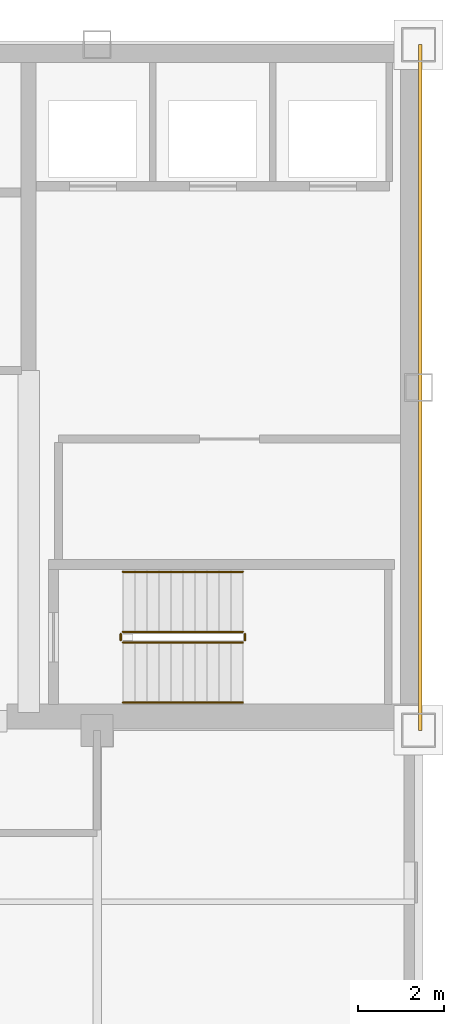
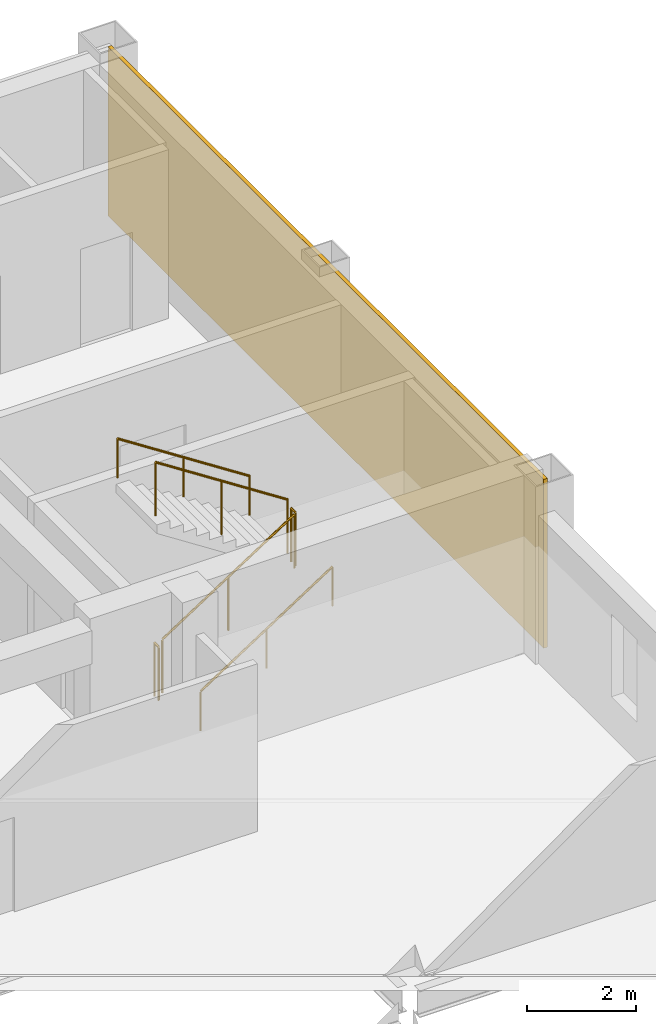
# One storey, part 6 of 8: 6 railings, 1 covering.
"""IFC4 building model written with IfcOpenShell, lengths in metres."""

from ifc_helpers import new_model, si_unit, direction, frame, origin, origin_2d, place, context, subcontext, project, spatial, rectangle, circle, extrude, material, layer, layer_set, type_object, element, save


model = new_model("IFC4")

# Units and contexts
model_context = context("Model", 3, precision=1e-05, world=origin(), true_north=direction((0.0, 1.0)))
body_context = subcontext(model_context, "Body", "Model", "MODEL_VIEW")
ifc_project = project(units=[si_unit("LENGTHUNIT", "METRE"), si_unit("AREAUNIT", "SQUARE_METRE"), si_unit("VOLUMEUNIT", "CUBIC_METRE"), si_unit("PLANEANGLEUNIT", "RADIAN"), si_unit("MASSUNIT", "GRAM", prefix="KILO")], contexts=[model_context])

# Site, building, storey
site_placement = place(None, origin())
site = spatial("IfcSite", under=ifc_project, at=site_placement, CompositionType="ELEMENT")
building_placement = place(site_placement, origin())
building = spatial("IfcBuilding", under=site, at=building_placement, Name="Qianrong Seaharbour Tower", CompositionType="ELEMENT")
storey_placement = place(building_placement, frame((0.0, 0.0, 287.199951171875)))
storey = spatial("IfcBuildingStorey", under=building, at=storey_placement, Name="L69", CompositionType="ELEMENT", Elevation=287.199951171875)

# Covering
ifc_material_1 = material(Name="Unitised red brick cladding on Precast concrete C45/55", Category="masonry")
ifc_layer = layer(ifc_material_1, 0.080078125)
ifc_layer_set = layer_set([ifc_layer], Name="Unitised red brick cladding on Precast concrete C45/55")
covering_type = type_object("IfcCoveringType", Name="COV-CLAD-RED-BRICK-80", PredefinedType="CLADDING", material=ifc_layer_set)
covering_placement = place(storey_placement, frame((64.0400390625, 44.0, 0.0), z_axis=(0.0, 0.0, 1.0), x_axis=(1.0, 0.0, 0.0)))
element("IfcCovering", 1, at=covering_placement, inside=storey, type_object=covering_type, Name="L69 East Core Brick Veneer Cladding", PredefinedType="CLADDING", context=body_context, shape_type="SweptSolid", body=[
    extrude(rectangle(XDim=0.080078125, YDim=16.0, at=origin_2d()), origin(), (0.0, 0.0, 1.0), 3.784912109375),
])

# Railings
ifc_material_2 = material(Name="Galvanized painted steel SN400B stair guard", Category="steel")
railing_type_1 = type_object("IfcRailingType", Name="RAIL-STAIR-GUARD-1220", PredefinedType="GUARDRAIL", material=ifc_material_2)
railing_1_placement = place(storey_placement, frame((57.10009765625, 38.050048828125, 0.181884765625)))
element("IfcRailing", 2, at=railing_1_placement, inside=storey, type_object=railing_type_1, Name="L69 ST-2 stair guard 1", PredefinedType="GUARDRAIL", context=body_context, shape_type="SweptSolid", body=[
    extrude(circle(Radius=0.02392578125, at=origin_2d()), frame((0.0, 0.0, 1.19580078125), z_axis=(0.83868413941, 0.0, 0.544618136222), x_axis=(0.0, 1.0, 0.0)), (0.0, 0.0, 1.0), 3.33837890625),
    extrude(circle(Radius=0.02099609375, at=origin_2d()), origin(), (0.0, 0.0, 1.0), 1.171875),
    extrude(circle(Radius=0.02099609375, at=origin_2d()), frame((1.39990234375, 0.0, 0.9091796875)), (0.0, 0.0, 1.0), 1.171875),
    extrude(circle(Radius=0.02099609375, at=origin_2d()), frame((2.7998046875, 0.0, 1.818115234375)), (0.0, 0.0, 1.0), 1.171875),
])
railing_2_placement = place(storey_placement, frame((59.949951171875, 38.10009765625, 2.0)))
element("IfcRailing", 3, at=railing_2_placement, inside=storey, type_object=railing_type_1, Name="L69 ST-2 stair guard 2", PredefinedType="GUARDRAIL", context=body_context, shape_type="SweptSolid", body=[
    extrude(circle(Radius=0.02392578125, at=origin_2d()), frame((0.0, 0.0, 1.19580078125), z_axis=(0.0, 1.0, 0.0), x_axis=(-1.0, 0.0, 0.0)), (0.0, 0.0, 1.0), 0.14990234375),
    extrude(circle(Radius=0.02099609375, at=origin_2d()), origin(), (0.0, 0.0, 1.0), 1.171875),
    extrude(circle(Radius=0.02099609375, at=origin_2d()), frame((0.0, 0.14990234375, 0.0)), (0.0, 0.0, 1.0), 1.171875),
])
railing_3_placement = place(storey_placement, frame((59.89990234375, 38.300048828125, 2.181884765625)))
element("IfcRailing", 4, at=railing_3_placement, inside=storey, type_object=railing_type_1, Name="L69 ST-2 stair guard 3", PredefinedType="GUARDRAIL", context=body_context, shape_type="SweptSolid", body=[
    extrude(circle(Radius=0.02392578125, at=origin_2d()), frame((0.0, 0.0, 1.19580078125), z_axis=(-0.83868413941, 0.0, 0.544618136222), x_axis=(0.0, -1.0, 0.0)), (0.0, 0.0, 1.0), 3.33837890625),
    extrude(circle(Radius=0.02099609375, at=origin_2d()), origin(), (0.0, 0.0, 1.0), 1.171875),
    extrude(circle(Radius=0.02099609375, at=origin_2d()), frame((-1.39990234375, 0.0, 0.9091796875)), (0.0, 0.0, 1.0), 1.171875),
    extrude(circle(Radius=0.02099609375, at=origin_2d()), frame((-2.7998046875, 0.0, 1.818115234375)), (0.0, 0.0, 1.0), 1.171875),
])
railing_4_placement = place(storey_placement, frame((57.050048828125, 38.10009765625, 0.0)))
element("IfcRailing", 5, at=railing_4_placement, inside=storey, type_object=railing_type_1, Name="L69 ST-2 stair guard 4", PredefinedType="GUARDRAIL", context=body_context, shape_type="SweptSolid", body=[
    extrude(circle(Radius=0.02392578125, at=origin_2d()), frame((0.0, 0.0, 1.19580078125), z_axis=(0.0, 1.0, 0.0), x_axis=(-1.0, 0.0, 0.0)), (0.0, 0.0, 1.0), 0.14990234375),
    extrude(circle(Radius=0.02099609375, at=origin_2d()), origin(), (0.0, 0.0, 1.0), 1.171875),
    extrude(circle(Radius=0.02099609375, at=origin_2d()), frame((0.0, 0.14990234375, 0.0)), (0.0, 0.0, 1.0), 1.171875),
])
ifc_material_3 = material(Name="Stainless steel SUS316L continuous handrail", Category="steel")
railing_type_2 = type_object("IfcRailingType", Name="RAIL-STAIR-HANDRAIL-900", PredefinedType="HANDRAIL", material=ifc_material_3)
railing_5_placement = place(storey_placement, frame((57.10009765625, 36.64990234375, 0.181884765625)))
element("IfcRailing", 6, at=railing_5_placement, inside=storey, type_object=railing_type_2, Name="L69 ST-2 stair handrail 1", PredefinedType="HANDRAIL", context=body_context, shape_type="SweptSolid", body=[
    extrude(circle(Radius=0.02392578125, at=origin_2d()), frame((0.0, 0.0, 0.8759765625), z_axis=(0.83868413941, 0.0, 0.544618136222), x_axis=(0.0, 1.0, 0.0)), (0.0, 0.0, 1.0), 3.33837890625),
    extrude(circle(Radius=0.02099609375, at=origin_2d()), origin(), (0.0, 0.0, 1.0), 0.851806640625),
    extrude(circle(Radius=0.02099609375, at=origin_2d()), frame((1.39990234375, 0.0, 0.9091796875)), (0.0, 0.0, 1.0), 0.851806640625),
    extrude(circle(Radius=0.02099609375, at=origin_2d()), frame((2.7998046875, 0.0, 1.818115234375)), (0.0, 0.0, 1.0), 0.851806640625),
])
railing_6_placement = place(storey_placement, frame((59.89990234375, 39.699951171875, 2.181884765625)))
element("IfcRailing", 7, at=railing_6_placement, inside=storey, type_object=railing_type_2, Name="L69 ST-2 stair handrail 2", PredefinedType="HANDRAIL", context=body_context, shape_type="SweptSolid", body=[
    extrude(circle(Radius=0.02392578125, at=origin_2d()), frame((0.0, 0.0, 0.8759765625), z_axis=(-0.83868413941, 0.0, 0.544618136222), x_axis=(0.0, -1.0, 0.0)), (0.0, 0.0, 1.0), 3.33837890625),
    extrude(circle(Radius=0.02099609375, at=origin_2d()), origin(), (0.0, 0.0, 1.0), 0.851806640625),
    extrude(circle(Radius=0.02099609375, at=origin_2d()), frame((-1.39990234375, 0.0, 0.9091796875)), (0.0, 0.0, 1.0), 0.851806640625),
    extrude(circle(Radius=0.02099609375, at=origin_2d()), frame((-2.7998046875, 0.0, 1.818115234375)), (0.0, 0.0, 1.0), 0.851806640625),
])

save(model, "model.ifc")
